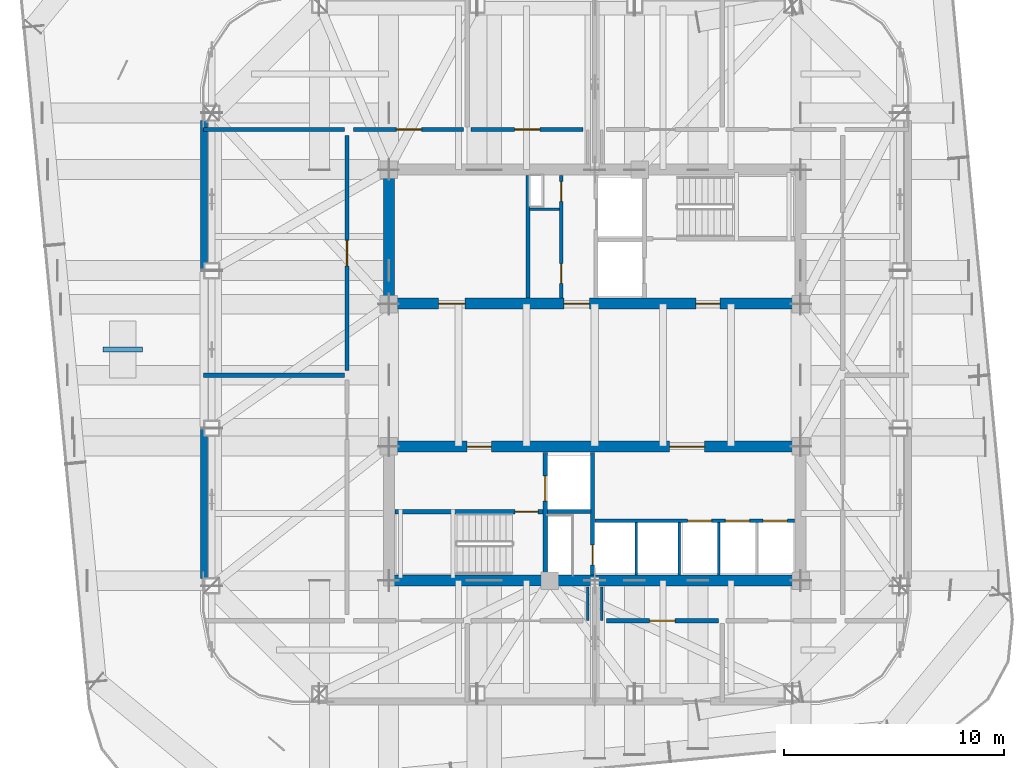
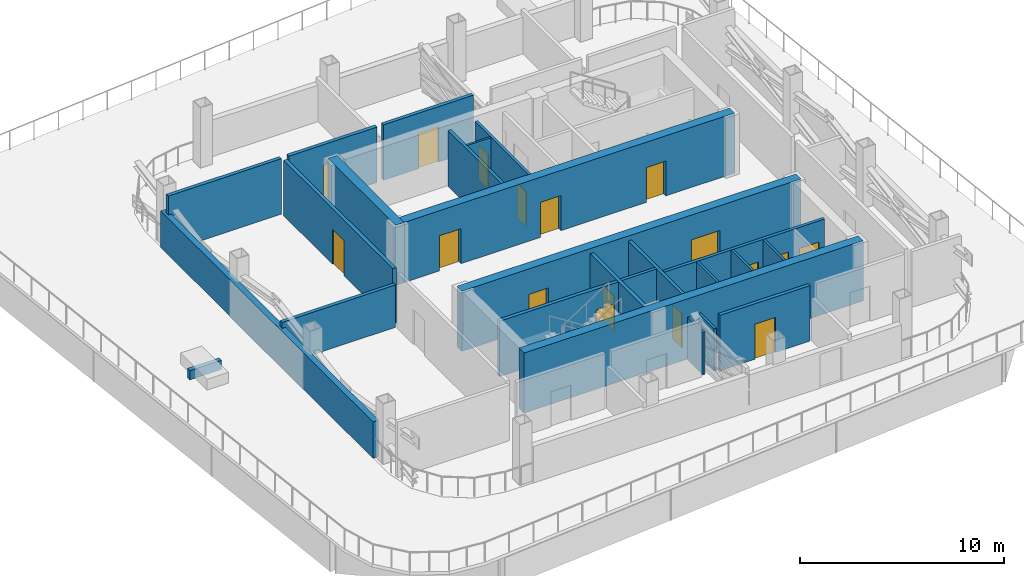
# One storey, part 6 of 12: 25 walls, 17 doors, 17 openings.
"""IFC4 building model written with IfcOpenShell, lengths in metres."""

import ifcopenshell
import ifcopenshell.guid

model = None  # the IFC model being written
_history = None  # IfcOwnerHistory: only IFC2X3 demands one
_inside = {}  # id of a spatial element -> (the spatial element, [elements in it])
_under = {}  # id of a project, library or spatial element -> (it, [spatial elements below it])
_declared = {}  # id of a project -> (the project, [libraries it declares])
_typed = {}  # id of a type object -> (the type object, [elements of that type])
_made_of = {}  # id of a material, layer set ... -> (it, [elements and type objects made of it])


def new_model(schema):
    """Start an empty IFC model of exactly this schema.

    Asked for "IFC4X3", IfcOpenShell would pick the latest addendum, in which some entities
    have other attributes; the version numbers below select the first issue.
    IFC2X3 requires an IfcOwnerHistory on every rooted entity: one is made here for all.
    """
    global model, _history
    if schema == "IFC4X3":
        model = ifcopenshell.file(schema_version=(4, 3, 0, 0))
    else:
        model = ifcopenshell.file(schema=schema)
    _inside.clear()
    _under.clear()
    _declared.clear()
    _typed.clear()
    _made_of.clear()
    _history = None
    if model.schema == "IFC2X3":
        org = make("IfcOrganization", Name="unknown")
        user = make(
            "IfcPersonAndOrganization",
            ThePerson=make("IfcPerson", FamilyName="unknown"),
            TheOrganization=org,
        )
        app = make(
            "IfcApplication",
            ApplicationDeveloper=org,
            Version="unknown",
            ApplicationFullName="unknown",
            ApplicationIdentifier="unknown",
        )
        _history = make(
            "IfcOwnerHistory",
            OwningUser=user,
            OwningApplication=app,
            ChangeAction="ADDED",
            CreationDate=0,
        )
    return model


def make(cls, **values):
    """One entity of the class cls with the attributes given. An attribute that is None is left unset."""
    return model.create_entity(
        cls, **{name: value for name, value in values.items() if value is not None}
    )


def rooted(cls, **values):
    """An entity with a GlobalId (a new one), such as an element, a storey or a relation."""
    return make(cls, GlobalId=ifcopenshell.guid.new(), OwnerHistory=_history, **values)


def si_unit(unit_type, name, prefix=None):
    """IfcSIUnit, for example si_unit("LENGTHUNIT", "METRE", prefix="MILLI")."""
    return make("IfcSIUnit", UnitType=unit_type, Prefix=prefix, Name=name)


def assignment(units):
    """IfcUnitAssignment: the units of a project."""
    return None if units is None else make("IfcUnitAssignment", Units=units)


def point(xyz):
    """IfcCartesianPoint."""
    return None if xyz is None else make("IfcCartesianPoint", Coordinates=xyz)


def direction(xyz):
    """IfcDirection."""
    return None if xyz is None else make("IfcDirection", DirectionRatios=xyz)


def frame(location, z_axis=None, x_axis=None):
    """IfcAxis2Placement3D, a coordinate frame: its origin and axes. An axis left out is left unset."""
    return make(
        "IfcAxis2Placement3D",
        Location=point(location),
        Axis=direction(z_axis),
        RefDirection=direction(x_axis),
    )


def frame_2d(location, x_axis=None):
    """IfcAxis2Placement2D, a coordinate frame in the plane: its origin and x axis."""
    return make(
        "IfcAxis2Placement2D", Location=point(location), RefDirection=direction(x_axis)
    )


def origin():
    """The frame at (0, 0, 0) with its axes left unset."""
    return frame((0.0, 0.0, 0.0))


def place(relative_to, where):
    """IfcLocalPlacement: puts the frame where relative to a parent placement (None: the world)."""
    return make(
        "IfcLocalPlacement", PlacementRelTo=relative_to, RelativePlacement=where
    )


def context(
    kind, dimensions, precision=None, world=None, true_north=None, identifier=None
):
    """IfcGeometricRepresentationContext, for example the 3D "Model" context."""
    return make(
        "IfcGeometricRepresentationContext",
        ContextIdentifier=identifier,
        ContextType=kind,
        CoordinateSpaceDimension=dimensions,
        Precision=precision,
        WorldCoordinateSystem=world,
        TrueNorth=true_north,
    )


def subcontext(parent, identifier, kind, view, scale=None):
    """IfcGeometricRepresentationSubContext, for example "Body" below "Model"."""
    return make(
        "IfcGeometricRepresentationSubContext",
        ContextIdentifier=identifier,
        ContextType=kind,
        ParentContext=parent,
        TargetScale=scale,
        TargetView=view,
    )


def project(units=None, contexts=None):
    """IfcProject with its units and contexts."""
    return rooted(
        "IfcProject",
        Name="project",
        RepresentationContexts=contexts,
        UnitsInContext=assignment(units),
    )


def spatial(cls, under=None, at=None, **own):
    """A site, building, storey or space (cls), placed at a placement, below another one or the project."""
    s = rooted(cls, ObjectPlacement=at, **own)
    if under is not None:
        _under.setdefault(under.id(), (under, []))[1].append(s)
    return s


def profile(cls, at=None, kind="AREA", **sizes):
    """A parametric profile (cls). Its sizes go by their IFC names, for example OverallWidth=200.0."""
    return make(cls, ProfileType=kind, Position=at, **sizes)


def rectangle(**sizes):
    """IfcRectangleProfileDef."""
    return profile("IfcRectangleProfileDef", **sizes)


def extrude(swept, where, along, depth):
    """IfcExtrudedAreaSolid: the profile swept, set in the frame where, extruded along a direction by depth."""
    return make(
        "IfcExtrudedAreaSolid",
        SweptArea=swept,
        Position=where,
        ExtrudedDirection=direction(along),
        Depth=depth,
    )


def shape(context_of_items, identifier, shape_type, items):
    """IfcShapeRepresentation: the items that make up one representation, for example the "Body"."""
    return make(
        "IfcShapeRepresentation",
        ContextOfItems=context_of_items,
        RepresentationIdentifier=identifier,
        RepresentationType=shape_type,
        Items=items,
    )


def material(Name=None, Category=None):
    """IfcMaterial."""
    return make("IfcMaterial", Name=Name, Category=Category)


def layer(
    of_material, thickness, ventilated=None, Name=None, Category=None, Priority=None
):
    """IfcMaterialLayer: one layer of a wall or slab, of a material (None: an air gap)."""
    return make(
        "IfcMaterialLayer",
        Material=of_material,
        LayerThickness=thickness,
        IsVentilated=ventilated,
        Name=Name,
        Category=Category,
        Priority=Priority,
    )


def layer_set(layers, Name=None):
    """IfcMaterialLayerSet."""
    return make("IfcMaterialLayerSet", MaterialLayers=layers, LayerSetName=Name)


def made_of(thing, what):
    """Note that an element or type object is made of a material, layer set ...; save() writes the relation."""
    if what is not None:
        _made_of.setdefault(what.id(), (what, []))[1].append(thing)
    return thing


def type_object(cls, material=None, **own):
    """A type object (cls), such as IfcWallType, which elements share."""
    return made_of(rooted(cls, **own), material)


def element(
    cls,
    number,
    at=None,
    inside=None,
    cuts=None,
    type_object=None,
    material=None,
    context=None,
    identifier="Body",
    shape_type=None,
    held_by="IfcProductDefinitionShape",
    body=None,
    shapes=None,
    **own,
):
    """One element of the class cls, such as IfcWall. Its Tag is "e" and its number.

    at: its placement. inside: the storey or other place that contains it. cuts: it is an
    opening in that element (IfcRelVoidsElement). A single representation is given by context,
    identifier, shape_type and body (its items); several are given by shapes. held_by: the class
    of the entity that holds the representations. save() writes the other relations.
    """
    e = rooted(cls, Tag="e%d" % number, ObjectPlacement=at, **own)
    if body is not None:
        shapes = [shape(context, identifier, shape_type, body)]
    if shapes is not None:
        e.Representation = make(held_by, Representations=shapes)
    if inside is not None:
        _inside.setdefault(inside.id(), (inside, []))[1].append(e)
    if cuts is not None:
        rooted(
            "IfcRelVoidsElement", RelatingBuildingElement=cuts, RelatedOpeningElement=e
        )
    if type_object is not None:
        _typed.setdefault(type_object.id(), (type_object, []))[1].append(e)
    return made_of(e, material)


def fill(opening, filler):
    """IfcRelFillsElement: the door or window that sits in an opening."""
    return rooted(
        "IfcRelFillsElement",
        RelatingOpeningElement=opening,
        RelatedBuildingElement=filler,
    )


def aggregate(whole, parts):
    """IfcRelAggregates: a whole, such as a stair, and the parts it consists of."""
    return rooted("IfcRelAggregates", RelatingObject=whole, RelatedObjects=parts)


def save(model, path):
    """Write the relations noted so far, then the file.

    IfcRelAggregates (storeys below a building ...), IfcRelContainedInSpatialStructure (elements
    in a storey), IfcRelDefinesByType, IfcRelAssociatesMaterial and IfcRelDeclares: one each for
    every whole, place, type object, material and project.
    """
    for whole, parts in _under.values():
        aggregate(whole, parts)
    for where, things in _inside.values():
        rooted(
            "IfcRelContainedInSpatialStructure",
            RelatedElements=things,
            RelatingStructure=where,
        )
    for kind, things in _typed.values():
        rooted("IfcRelDefinesByType", RelatedObjects=things, RelatingType=kind)
    for what, things in _made_of.values():
        rooted("IfcRelAssociatesMaterial", RelatedObjects=things, RelatingMaterial=what)
    for by, libraries in _declared.values():
        rooted("IfcRelDeclares", RelatingContext=by, RelatedDefinitions=libraries)
    model.write(path)


model = new_model("IFC4")

# Units and contexts
model_context = context("Model", 3, precision=1e-05, world=origin(), true_north=direction((0.0, 1.0)))
body_context = subcontext(model_context, "Body", "Model", "MODEL_VIEW")
ifc_project = project(units=[si_unit("LENGTHUNIT", "METRE"), si_unit("AREAUNIT", "SQUARE_METRE"), si_unit("VOLUMEUNIT", "CUBIC_METRE"), si_unit("PLANEANGLEUNIT", "RADIAN"), si_unit("MASSUNIT", "GRAM", prefix="KILO")], contexts=[model_context])

# Site, building, storey
site_placement = place(None, origin())
site = spatial("IfcSite", under=ifc_project, at=site_placement, CompositionType="ELEMENT")
building_placement = place(site_placement, origin())
building = spatial("IfcBuilding", under=site, at=building_placement, Name="Qhalaya Broadcast Tower", CompositionType="ELEMENT")
storey_placement = place(building_placement, frame((0.0, 0.0, 187.949951171875)))
storey = spatial("IfcBuildingStorey", under=building, at=storey_placement, Name="L55", CompositionType="ELEMENT", Elevation=187.949951171875)

# Wall, openings, doors
ifc_material_1 = material(Name="Gypsum Acoustic Partition")
ifc_layer_1 = layer(ifc_material_1, 0.14990234375, Name="Gypsum Acoustic Partition")
ifc_layer_set_1 = layer_set([ifc_layer_1], Name="Gypsum Acoustic Partition")
wall_type_1 = type_object("IfcWallType", Name="Corridor & Tenancy Acoustic Partition 150", PredefinedType="PARTITIONING", material=ifc_layer_set_1)
wall_1_placement = place(storey_placement, frame((-1.52001953125, 4.1201171875, 0.0), z_axis=(0.0, 0.0, 1.0), x_axis=(0.0, 1.0, 0.0)))
wall_1 = element("IfcWall", 1, at=wall_1_placement, inside=storey, type_object=wall_type_1, Name="L55 Partition Wall NCW-SVL", PredefinedType="PARTITIONING", context=body_context, shape_type="SweptSolid", body=[
    extrude(rectangle(XDim=5.559814453125, YDim=0.14990234375, at=frame_2d((2.77978515625, 0.0))), origin(), (0.0, 0.0, 1.0), 3.320068359375),
])
opening_1_placement = place(wall_1_placement, frame((4.3798828125, 0.0, 0.0)))
opening_1 = element("IfcOpeningElement", 2, at=opening_1_placement, cuts=wall_1, Name="Opening D06", PredefinedType="OPENING", context=body_context, shape_type="SweptSolid", body=[
    extrude(rectangle(XDim=0.89990234375, YDim=2.050048828125, at=frame_2d((0.449951171875, 1.02490234375))), frame((0.0, 0.0869140625, 0.0), z_axis=(0.0, -1.0, 0.0), x_axis=(1.0, 0.0, 0.0)), (0.0, 0.0, 1.0), 0.173828125),
])
opening_2_placement = place(wall_1_placement, frame((0.64990234375, 0.0, 0.0)))
opening_2 = element("IfcOpeningElement", 3, at=opening_2_placement, cuts=wall_1, Name="Opening D06", PredefinedType="OPENING", context=body_context, shape_type="SweptSolid", body=[
    extrude(rectangle(XDim=0.89990234375, YDim=2.050048828125, at=frame_2d((0.449951171875, 1.02490234375))), frame((0.0, 0.0869140625, 0.0), z_axis=(0.0, -1.0, 0.0), x_axis=(1.0, 0.0, 0.0)), (0.0, 0.0, 1.0), 0.173828125),
])
ifc_material_2 = material(Name="Fire-Rated Steel Door", Category="steel")
door_type_1 = type_object("IfcDoorType", Name="Riser & Electrical Shaft Access Door D06", OperationType="NOTDEFINED", PredefinedType="DOOR", material=ifc_material_2)
door_1_placement = place(opening_1_placement, origin())
door_1 = element("IfcDoor", 4, at=door_1_placement, inside=storey, type_object=door_type_1, Name="L55 Riser Shaft Access Door D-NRSR", OperationType="SINGLE_SWING_RIGHT", OverallHeight=2.050048828125, OverallWidth=0.89990234375, PredefinedType="DOOR", context=body_context, shape_type="SweptSolid", body=[
    extrude(rectangle(XDim=0.89990234375, YDim=2.050048828125, at=frame_2d((0.449951171875, 1.02490234375))), frame((0.0, 0.02490234375, 0.0), z_axis=(0.0, -1.0, 0.0), x_axis=(1.0, 0.0, 0.0)), (0.0, 0.0, 1.0), 0.050048828125),
])
fill(opening_1, door_1)
door_2_placement = place(opening_2_placement, origin())
door_2 = element("IfcDoor", 5, at=door_2_placement, inside=storey, type_object=door_type_1, Name="L55 Door D-NCST", OperationType="SINGLE_SWING_LEFT", OverallHeight=2.050048828125, OverallWidth=0.89990234375, PredefinedType="DOOR", context=body_context, shape_type="SweptSolid", body=[
    extrude(rectangle(XDim=0.89990234375, YDim=2.050048828125, at=frame_2d((0.449951171875, 1.02490234375))), frame((0.0, 0.02490234375, 0.0), z_axis=(0.0, -1.0, 0.0), x_axis=(1.0, 0.0, 0.0)), (0.0, 0.0, 1.0), 0.050048828125),
])
fill(opening_2, door_2)

# Wall, opening, door
ifc_layer_2 = layer(ifc_material_1, 0.199951171875, Name="Gypsum Acoustic Partition")
ifc_layer_set_2 = layer_set([ifc_layer_2], Name="Gypsum Acoustic Partition")
wall_type_2 = type_object("IfcWallType", Name="Firefighting Lobby & Stair Enclosure Wall 200", PredefinedType="PARTITIONING", material=ifc_layer_set_2)
wall_2_placement = place(storey_placement, frame((-5.97998046875, 11.77001953125, 0.0), z_axis=(0.0, 0.0, 1.0), x_axis=(-1.0, 0.0, 0.0)))
wall_2 = element("IfcWall", 6, at=wall_2_placement, inside=storey, type_object=wall_type_2, Name="L55 Partition Wall W-PCN0", PredefinedType="PARTITIONING", context=body_context, shape_type="SweptSolid", body=[
    extrude(rectangle(XDim=4.989990234375, YDim=0.199951171875, at=frame_2d((2.4951171875, 0.0))), origin(), (0.0, 0.0, 1.0), 3.320068359375),
])
opening_3_placement = place(wall_2_placement, frame((1.889892578125, 0.0, 0.0)))
opening_3 = element("IfcOpeningElement", 7, at=opening_3_placement, cuts=wall_2, Name="Opening D05", PredefinedType="OPENING", context=body_context, shape_type="SweptSolid", body=[
    extrude(rectangle(XDim=1.14990234375, YDim=2.10009765625, at=frame_2d((0.574951171875, 1.050048828125))), frame((0.0, 0.112060546875, 0.0), z_axis=(0.0, -1.0, 0.0), x_axis=(1.0, 0.0, 0.0)), (0.0, 0.0, 1.0), 0.223876953125),
])
door_type_2 = type_object("IfcDoorType", Name="Refuge & Plant Room Fire Door D05", OperationType="NOTDEFINED", PredefinedType="DOOR", material=ifc_material_2)
door_3_placement = place(opening_3_placement, origin())
door_3 = element("IfcDoor", 8, at=door_3_placement, inside=storey, type_object=door_type_2, Name="L55 Door D-PCN0", OperationType="SINGLE_SWING_LEFT", OverallHeight=2.10009765625, OverallWidth=1.14990234375, PredefinedType="DOOR", context=body_context, shape_type="SweptSolid", body=[
    extrude(rectangle(XDim=1.14990234375, YDim=2.10009765625, at=frame_2d((0.574951171875, 1.050048828125))), frame((0.0, 0.02490234375, 0.0), z_axis=(0.0, -1.0, 0.0), x_axis=(1.0, 0.0, 0.0)), (0.0, 0.0, 1.0), 0.050048828125),
])
fill(opening_3, door_3)

wall_3_placement = place(storey_placement, frame((-0.530029296875, 11.77001953125, 0.0), z_axis=(0.0, 0.0, 1.0), x_axis=(-1.0, 0.0, 0.0)))
wall_3 = element("IfcWall", 9, at=wall_3_placement, inside=storey, type_object=wall_type_2, Name="L55 Partition Wall W-PCN1", PredefinedType="PARTITIONING", context=body_context, shape_type="SweptSolid", body=[
    extrude(rectangle(XDim=5.090087890625, YDim=0.199951171875, at=frame_2d((2.544921875, 0.0))), origin(), (0.0, 0.0, 1.0), 3.320068359375),
])
opening_4_placement = place(wall_3_placement, frame((1.969970703125, 0.0, 0.0)))
opening_4 = element("IfcOpeningElement", 10, at=opening_4_placement, cuts=wall_3, Name="Opening D05", PredefinedType="OPENING", context=body_context, shape_type="SweptSolid", body=[
    extrude(rectangle(XDim=1.14990234375, YDim=2.10009765625, at=frame_2d((0.574951171875, 1.050048828125))), frame((0.0, 0.112060546875, 0.0), z_axis=(0.0, -1.0, 0.0), x_axis=(1.0, 0.0, 0.0)), (0.0, 0.0, 1.0), 0.223876953125),
])
door_4_placement = place(opening_4_placement, origin())
door_4 = element("IfcDoor", 11, at=door_4_placement, inside=storey, type_object=door_type_2, Name="L55 Door D-PCN1", OperationType="SINGLE_SWING_LEFT", OverallHeight=2.10009765625, OverallWidth=1.14990234375, PredefinedType="DOOR", context=body_context, shape_type="SweptSolid", body=[
    extrude(rectangle(XDim=1.14990234375, YDim=2.10009765625, at=frame_2d((0.574951171875, 1.050048828125))), frame((0.0, 0.02490234375, 0.0), z_axis=(0.0, -1.0, 0.0), x_axis=(1.0, 0.0, 0.0)), (0.0, 0.0, 1.0), 0.050048828125),
])
fill(opening_4, door_4)

wall_4_placement = place(storey_placement, frame((0.530029296875, -10.570068359375, 0.0), z_axis=(0.0, 0.0, 1.0), x_axis=(1.0, 0.0, 0.0)))
wall_4 = element("IfcWall", 12, at=wall_4_placement, inside=storey, type_object=wall_type_2, Name="L55 Partition Wall W-PCS2", PredefinedType="PARTITIONING", context=body_context, shape_type="SweptSolid", body=[
    extrude(rectangle(XDim=5.090087890625, YDim=0.199951171875, at=frame_2d((2.544921875, 0.0))), origin(), (0.0, 0.0, 1.0), 3.320068359375),
])
opening_5_placement = place(wall_4_placement, frame((1.969970703125, 0.0, 0.0)))
opening_5 = element("IfcOpeningElement", 13, at=opening_5_placement, cuts=wall_4, Name="Opening D05", PredefinedType="OPENING", context=body_context, shape_type="SweptSolid", body=[
    extrude(rectangle(XDim=1.14990234375, YDim=2.10009765625, at=frame_2d((0.574951171875, 1.050048828125))), frame((0.0, 0.112060546875, 0.0), z_axis=(0.0, -1.0, 0.0), x_axis=(1.0, 0.0, 0.0)), (0.0, 0.0, 1.0), 0.223876953125),
])
door_5_placement = place(opening_5_placement, origin())
door_5 = element("IfcDoor", 14, at=door_5_placement, inside=storey, type_object=door_type_2, Name="L55 Door D-PCS2", OperationType="SINGLE_SWING_RIGHT", OverallHeight=2.10009765625, OverallWidth=1.14990234375, PredefinedType="DOOR", context=body_context, shape_type="SweptSolid", body=[
    extrude(rectangle(XDim=1.14990234375, YDim=2.10009765625, at=frame_2d((0.574951171875, 1.050048828125))), frame((0.0, 0.02490234375, 0.0), z_axis=(0.0, -1.0, 0.0), x_axis=(1.0, 0.0, 0.0)), (0.0, 0.0, 1.0), 0.050048828125),
])
fill(opening_5, door_5)

# Walls
wall_5_placement = place(storey_placement, frame((-17.800048828125, 11.77001953125, 0.0), z_axis=(0.0, 0.0, 1.0), x_axis=(1.0, 0.0, 0.0)))
element("IfcWall", 15, at=wall_5_placement, inside=storey, type_object=wall_type_2, Name="L55 Partition Wall W-PBNW", PredefinedType="PARTITIONING", context=body_context, shape_type="SweptSolid", body=[
    extrude(rectangle(XDim=6.41015625, YDim=0.199951171875, at=frame_2d((3.205078125, 0.0))), origin(), (0.0, 0.0, 1.0), 3.320068359375),
])
wall_6_placement = place(storey_placement, frame((-17.800048828125, 0.60009765625, 0.0), z_axis=(0.0, 0.0, 1.0), x_axis=(1.0, 0.0, 0.0)))
element("IfcWall", 16, at=wall_6_placement, inside=storey, type_object=wall_type_2, Name="L55 Partition Wall W-PDW1", PredefinedType="PARTITIONING", context=body_context, shape_type="SweptSolid", body=[
    extrude(rectangle(XDim=6.41015625, YDim=0.199951171875, at=frame_2d((3.205078125, 0.0))), origin(), (0.0, 0.0, 1.0), 2.5380859375),
])

# Wall, opening, door
wall_7_placement = place(storey_placement, frame((-11.27001953125, 11.489990234375, 0.0), z_axis=(0.0, 0.0, 1.0), x_axis=(0.0, -1.0, 0.0)))
wall_7 = element("IfcWall", 17, at=wall_7_placement, inside=storey, type_object=wall_type_2, Name="L55 Partition Wall W-PCW2", PredefinedType="PARTITIONING", context=body_context, shape_type="SweptSolid", body=[
    extrude(rectangle(XDim=10.679931640625, YDim=0.199951171875, at=frame_2d((5.33984375, 0.0))), origin(), (0.0, 0.0, 1.0), 3.320068359375),
])
opening_6_placement = place(wall_7_placement, frame((4.764892578125, 0.0, 0.0)))
opening_6 = element("IfcOpeningElement", 18, at=opening_6_placement, cuts=wall_7, Name="Opening D05", PredefinedType="OPENING", context=body_context, shape_type="SweptSolid", body=[
    extrude(rectangle(XDim=1.14990234375, YDim=2.10009765625, at=frame_2d((0.574951171875, 1.050048828125))), frame((0.0, 0.112060546875, 0.0), z_axis=(0.0, -1.0, 0.0), x_axis=(1.0, 0.0, 0.0)), (0.0, 0.0, 1.0), 0.223876953125),
])
door_6_placement = place(opening_6_placement, origin())
door_6 = element("IfcDoor", 19, at=door_6_placement, inside=storey, type_object=door_type_2, Name="L55 Door D-PCW2", OperationType="SINGLE_SWING_RIGHT", OverallHeight=2.10009765625, OverallWidth=1.14990234375, PredefinedType="DOOR", context=body_context, shape_type="SweptSolid", body=[
    extrude(rectangle(XDim=1.14990234375, YDim=2.10009765625, at=frame_2d((0.574951171875, 1.050048828125))), frame((0.0, 0.02490234375, 0.0), z_axis=(0.0, -1.0, 0.0), x_axis=(1.0, 0.0, 0.0)), (0.0, 0.0, 1.0), 0.050048828125),
])
fill(opening_6, door_6)

ifc_material_3 = material(Name="Concrete C50/60", Category="concrete")
ifc_layer_3 = layer(ifc_material_3, 0.199951171875, Name="Concrete C50/60")
ifc_layer_set_3 = layer_set([ifc_layer_3], Name="Concrete C50/60")
wall_type_3 = type_object("IfcWallType", Name="Load-Bearing Stair Shaft Wall 200", PredefinedType="SHEAR", material=ifc_layer_set_3)
wall_8_placement = place(storey_placement, frame((-9.080078125, -5.60498046875, 0.0), z_axis=(0.0, 0.0, 1.0), x_axis=(1.0, 0.0, 0.0)))
wall_8 = element("IfcWall", 20, at=wall_8_placement, inside=storey, type_object=wall_type_3, Name="L55 Stair Core Shear Wall SCW-ST2", PredefinedType="SHEAR", context=body_context, shape_type="SweptSolid", body=[
    extrude(rectangle(XDim=6.719970703125, YDim=0.199951171875, at=frame_2d((3.35986328125, 0.0))), origin(), (0.0, 0.0, 1.0), 3.320068359375),
])
opening_7_placement = place(wall_8_placement, frame((5.449951171875, 0.0, 0.0)))
opening_7 = element("IfcOpeningElement", 21, at=opening_7_placement, cuts=wall_8, Name="Opening D03", PredefinedType="OPENING", context=body_context, shape_type="SweptSolid", body=[
    extrude(rectangle(XDim=1.050048828125, YDim=2.080078125, at=frame_2d((0.52490234375, 1.0400390625))), frame((0.0, 0.112060546875, 0.0), z_axis=(0.0, -1.0, 0.0), x_axis=(1.0, 0.0, 0.0)), (0.0, 0.0, 1.0), 0.223876953125),
])
door_type_3 = type_object("IfcDoorType", Name="Core Stair Protected Fire Door D03", OperationType="NOTDEFINED", PredefinedType="DOOR", material=ifc_material_2)
door_7_placement = place(opening_7_placement, origin())
door_7 = element("IfcDoor", 22, at=door_7_placement, inside=storey, type_object=door_type_3, Name="L55 Door D-SST2", OperationType="SINGLE_SWING_RIGHT", OverallHeight=2.080078125, OverallWidth=1.050048828125, PredefinedType="DOOR", context=body_context, shape_type="SweptSolid", body=[
    extrude(rectangle(XDim=1.050048828125, YDim=2.080078125, at=frame_2d((0.52490234375, 1.0400390625))), frame((0.0, 0.02490234375, 0.0), z_axis=(0.0, -1.0, 0.0), x_axis=(1.0, 0.0, 0.0)), (0.0, 0.0, 1.0), 0.050048828125),
])
fill(opening_7, door_7)

wall_9_placement = place(storey_placement, frame((-2.25, -8.47998046875, 0.0), z_axis=(0.0, 0.0, 1.0), x_axis=(0.0, 1.0, 0.0)))
wall_9 = element("IfcWall", 23, at=wall_9_placement, inside=storey, type_object=wall_type_3, Name="L55 Stair Core Shear Wall SCW-FF", PredefinedType="SHEAR", context=body_context, shape_type="SweptSolid", body=[
    extrude(rectangle(XDim=5.56005859375, YDim=0.199951171875, at=frame_2d((2.780029296875, 0.0))), origin(), (0.0, 0.0, 1.0), 3.320068359375),
])
opening_8_placement = place(wall_9_placement, frame((3.35009765625, 0.0, 0.0)))
opening_8 = element("IfcOpeningElement", 24, at=opening_8_placement, cuts=wall_9, Name="Opening LD2", PredefinedType="OPENING", context=body_context, shape_type="SweptSolid", body=[
    extrude(rectangle(XDim=1.14990234375, YDim=2.080078125, at=frame_2d((0.574951171875, 1.0400390625))), frame((0.0, 0.112060546875, 0.0), z_axis=(0.0, -1.0, 0.0), x_axis=(1.0, 0.0, 0.0)), (0.0, 0.0, 1.0), 0.223876953125),
])
ifc_material_4 = material(Name="Brushed Stainless Steel Lift Door", Category="steel")
door_type_4 = type_object("IfcDoorType", Name="Firefighting Lift Sliding Landing Door LD2", OperationType="DOUBLE_DOOR_SLIDING", PredefinedType="DOOR", material=ifc_material_4)
door_8_placement = place(opening_8_placement, origin())
door_8 = element("IfcDoor", 25, at=door_8_placement, inside=storey, type_object=door_type_4, Name="L55 Door LD-FF2", OperationType="DOUBLE_DOOR_SLIDING", OverallHeight=2.080078125, OverallWidth=1.14990234375, PredefinedType="DOOR", context=body_context, shape_type="SweptSolid", body=[
    extrude(rectangle(XDim=1.14990234375, YDim=2.080078125, at=frame_2d((0.574951171875, 1.0400390625))), frame((0.0, 0.02490234375, 0.0), z_axis=(0.0, -1.0, 0.0), x_axis=(1.0, 0.0, 0.0)), (0.0, 0.0, 1.0), 0.050048828125),
])
fill(opening_8, door_8)

# Wall, openings, doors
ifc_layer_4 = layer(ifc_material_3, 0.5, Name="Concrete C50/60")
ifc_layer_set_4 = layer_set([ifc_layer_4], Name="Concrete C50/60")
wall_type_4 = type_object("IfcWallType", Name="Mid Split-Core Shear Wall 500", PredefinedType="SHEAR", material=ifc_layer_set_4)
wall_10_placement = place(storey_placement, frame((-9.60009765625, 3.85009765625, 0.0), z_axis=(0.0, 0.0, 1.0), x_axis=(1.0, 0.0, 0.0)))
wall_10 = element("IfcWall", 26, at=wall_10_placement, inside=storey, type_object=wall_type_4, Name="L55 Split-Core Shear Wall CW-NS", PredefinedType="SHEAR", context=body_context, shape_type="SweptSolid", body=[
    extrude(rectangle(XDim=19.2001953125, YDim=0.5, at=frame_2d((9.60009765625, 0.0))), origin(), (0.0, 0.0, 1.0), 3.60009765625),
])
opening_9_placement = place(wall_10_placement, frame((14.199951171875, 0.0, 0.0)))
opening_9 = element("IfcOpeningElement", 27, at=opening_9_placement, cuts=wall_10, Name="Opening D04", PredefinedType="OPENING", context=body_context, shape_type="SweptSolid", body=[
    extrude(rectangle(XDim=1.10009765625, YDim=2.080078125, at=frame_2d((0.550048828125, 1.0400390625))), frame((0.0, 0.261962890625, 0.0), z_axis=(0.0, -1.0, 0.0), x_axis=(1.0, 0.0, 0.0)), (0.0, 0.0, 1.0), 0.52392578125),
])
opening_10_placement = place(wall_10_placement, frame((8.199951171875, 0.0, 0.0)))
opening_10 = element("IfcOpeningElement", 28, at=opening_10_placement, cuts=wall_10, Name="Opening D05", PredefinedType="OPENING", context=body_context, shape_type="SweptSolid", body=[
    extrude(rectangle(XDim=1.14990234375, YDim=2.10009765625, at=frame_2d((0.574951171875, 1.050048828125))), frame((0.0, 0.261962890625, 0.0), z_axis=(0.0, -1.0, 0.0), x_axis=(1.0, 0.0, 0.0)), (0.0, 0.0, 1.0), 0.52392578125),
])
opening_11_placement = place(wall_10_placement, frame((2.5, 0.0, 0.0)))
opening_11 = element("IfcOpeningElement", 29, at=opening_11_placement, cuts=wall_10, Name="Opening D11", PredefinedType="OPENING", context=body_context, shape_type="SweptSolid", body=[
    extrude(rectangle(XDim=1.199951171875, YDim=2.10009765625, at=frame_2d((0.60009765625, 1.050048828125))), frame((0.0, 0.261962890625, 0.0), z_axis=(0.0, -1.0, 0.0), x_axis=(1.0, 0.0, 0.0)), (0.0, 0.0, 1.0), 0.52392578125),
])
ifc_material_5 = material(Name="Anodised Aluminium Glazed Door", Category="aluminium")
door_type_5 = type_object("IfcDoorType", Name="Conference, Boardroom & Studio Control Door D11", OperationType="NOTDEFINED", PredefinedType="DOOR", material=ifc_material_5)
door_9_placement = place(opening_11_placement, origin())
door_9 = element("IfcDoor", 30, at=door_9_placement, inside=storey, type_object=door_type_5, Name="L55 Door D-NREC1", OperationType="SINGLE_SWING_LEFT", OverallHeight=2.10009765625, OverallWidth=1.199951171875, PredefinedType="DOOR", context=body_context, shape_type="SweptSolid", body=[
    extrude(rectangle(XDim=1.199951171875, YDim=2.10009765625, at=frame_2d((0.60009765625, 1.050048828125))), frame((0.0, 0.02490234375, 0.0), z_axis=(0.0, -1.0, 0.0), x_axis=(1.0, 0.0, 0.0)), (0.0, 0.0, 1.0), 0.050048828125),
])
fill(opening_11, door_9)
door_type_6 = type_object("IfcDoorType", Name="Firefighting Lobby Rated Door D04", OperationType="NOTDEFINED", PredefinedType="DOOR", material=ifc_material_2)
door_10_placement = place(opening_9_placement, origin())
door_10 = element("IfcDoor", 31, at=door_10_placement, inside=storey, type_object=door_type_6, Name="L55 Door D-NFF", OperationType="SINGLE_SWING_RIGHT", OverallHeight=2.080078125, OverallWidth=1.10009765625, PredefinedType="DOOR", context=body_context, shape_type="SweptSolid", body=[
    extrude(rectangle(XDim=1.10009765625, YDim=2.080078125, at=frame_2d((0.550048828125, 1.0400390625))), frame((0.0, 0.02490234375, 0.0), z_axis=(0.0, -1.0, 0.0), x_axis=(1.0, 0.0, 0.0)), (0.0, 0.0, 1.0), 0.050048828125),
])
fill(opening_9, door_10)
door_11_placement = place(opening_10_placement, origin())
door_11 = element("IfcDoor", 32, at=door_11_placement, inside=storey, type_object=door_type_2, Name="L55 Door D-NSVL", OperationType="SINGLE_SWING_LEFT", OverallHeight=2.10009765625, OverallWidth=1.14990234375, PredefinedType="DOOR", context=body_context, shape_type="SweptSolid", body=[
    extrude(rectangle(XDim=1.14990234375, YDim=2.10009765625, at=frame_2d((0.574951171875, 1.050048828125))), frame((0.0, 0.02490234375, 0.0), z_axis=(0.0, -1.0, 0.0), x_axis=(1.0, 0.0, 0.0)), (0.0, 0.0, 1.0), 0.050048828125),
])
fill(opening_10, door_11)

# Walls
wall_11_placement = place(storey_placement, frame((-9.35009765625, 3.60009765625, 0.0), z_axis=(0.0, 0.0, 1.0), x_axis=(0.0, 1.0, 0.0)))
element("IfcWall", 33, at=wall_11_placement, inside=storey, type_object=wall_type_4, Name="L55 Split-Core Shear Wall CW-NW", PredefinedType="SHEAR", context=body_context, shape_type="SweptSolid", body=[
    extrude(rectangle(XDim=6.599853515625, YDim=0.5, at=frame_2d((3.2998046875, 0.0))), origin(), (0.0, 0.0, 1.0), 3.60009765625),
])
wall_12_placement = place(storey_placement, frame((-9.60009765625, -8.75, 0.0), z_axis=(0.0, 0.0, 1.0), x_axis=(1.0, 0.0, 0.0)))
element("IfcWall", 34, at=wall_12_placement, inside=storey, type_object=wall_type_4, Name="L55 Split-Core Shear Wall CW-SS", PredefinedType="SHEAR", context=body_context, shape_type="SweptSolid", body=[
    extrude(rectangle(XDim=19.2001953125, YDim=0.5, at=frame_2d((9.60009765625, 0.0))), origin(), (0.0, 0.0, 1.0), 3.60009765625),
])

# Wall, openings, doors
wall_13_placement = place(storey_placement, frame((-9.60009765625, -2.64990234375, 0.0), z_axis=(0.0, 0.0, 1.0), x_axis=(1.0, 0.0, 0.0)))
wall_13 = element("IfcWall", 35, at=wall_13_placement, inside=storey, type_object=wall_type_4, Name="L55 Split-Core Shear Wall CW-SN", PredefinedType="SHEAR", context=body_context, shape_type="SweptSolid", body=[
    extrude(rectangle(XDim=19.2001953125, YDim=0.5, at=frame_2d((9.60009765625, 0.0))), origin(), (0.0, 0.0, 1.0), 3.60009765625),
])
opening_12_placement = place(wall_13_placement, frame((3.800048828125, 0.0, 0.0)))
opening_12 = element("IfcOpeningElement", 36, at=opening_12_placement, cuts=wall_13, Name="Opening D04", PredefinedType="OPENING", context=body_context, shape_type="SweptSolid", body=[
    extrude(rectangle(XDim=1.10009765625, YDim=2.080078125, at=frame_2d((0.550048828125, 1.0400390625))), frame((0.0, 0.261962890625, 0.0), z_axis=(0.0, -1.0, 0.0), x_axis=(1.0, 0.0, 0.0)), (0.0, 0.0, 1.0), 0.52392578125),
])
opening_13_placement = place(wall_13_placement, frame((13.0, 0.0, 0.0)))
opening_13 = element("IfcOpeningElement", 37, at=opening_13_placement, cuts=wall_13, Name="Opening D07", PredefinedType="OPENING", context=body_context, shape_type="SweptSolid", body=[
    extrude(rectangle(XDim=1.60009765625, YDim=2.1201171875, at=frame_2d((0.800048828125, 1.06005859375))), frame((0.0, 0.261962890625, 0.0), z_axis=(0.0, -1.0, 0.0), x_axis=(1.0, 0.0, 0.0)), (0.0, 0.0, 1.0), 0.52392578125),
])
door_12_placement = place(opening_12_placement, origin())
door_12 = element("IfcDoor", 38, at=door_12_placement, inside=storey, type_object=door_type_6, Name="L55 Door D-SFF", OperationType="SINGLE_SWING_LEFT", OverallHeight=2.080078125, OverallWidth=1.10009765625, PredefinedType="DOOR", context=body_context, shape_type="SweptSolid", body=[
    extrude(rectangle(XDim=1.10009765625, YDim=2.080078125, at=frame_2d((0.550048828125, 1.0400390625))), frame((0.0, 0.02490234375, 0.0), z_axis=(0.0, -1.0, 0.0), x_axis=(1.0, 0.0, 0.0)), (0.0, 0.0, 1.0), 0.050048828125),
])
fill(opening_12, door_12)
door_type_7 = type_object("IfcDoorType", Name="Passenger Lift Lobby Double Glazed Door D07", OperationType="DOUBLE_DOOR_SINGLE_SWING", PredefinedType="DOOR", material=ifc_material_5)
door_13_placement = place(opening_13_placement, origin())
door_13 = element("IfcDoor", 39, at=door_13_placement, inside=storey, type_object=door_type_7, Name="L55 Door D-SPLL", OperationType="DOUBLE_DOOR_SINGLE_SWING", OverallHeight=2.1201171875, OverallWidth=1.60009765625, PredefinedType="DOOR", context=body_context, shape_type="SweptSolid", body=[
    extrude(rectangle(XDim=1.60009765625, YDim=2.1201171875, at=frame_2d((0.800048828125, 1.06005859375))), frame((0.0, 0.02490234375, 0.0), z_axis=(0.0, -1.0, 0.0), x_axis=(1.0, 0.0, 0.0)), (0.0, 0.0, 1.0), 0.050048828125),
])
fill(opening_13, door_13)

# Walls
ifc_layer_5 = layer(ifc_material_1, 0.1201171875, Name="Gypsum Acoustic Partition")
ifc_layer_set_5 = layer_set([ifc_layer_5], Name="Gypsum Acoustic Partition")
wall_type_5 = type_object("IfcWallType", Name="Office, Booth & Sanitary Partition 120", PredefinedType="PARTITIONING", material=ifc_layer_set_5)
wall_14_placement = place(storey_placement, frame((-2.9599609375, 8.14990234375, 0.0), z_axis=(0.0, 0.0, 1.0), x_axis=(1.0, 0.0, 0.0)))
element("IfcWall", 40, at=wall_14_placement, inside=storey, type_object=wall_type_5, Name="L55 Partition Wall NCW-VA", PredefinedType="PARTITIONING", context=body_context, shape_type="SweptSolid", body=[
    extrude(rectangle(XDim=1.35986328125, YDim=0.1201171875, at=frame_2d((0.679931640625, 0.0))), origin(), (0.0, 0.0, 1.0), 3.320068359375),
])
for number, where, z_axis, x_axis, name in (
    (41, (1.8798828125, -8.47998046875, 0.0), (0.0, 0.0, 1.0), (0.0, 1.0, 0.0), "L55 Partition Wall SCW-MD4"),
    (42, (3.85009765625, -8.47998046875, 0.0), (0.0, 0.0, 1.0), (0.0, 1.0, 0.0), "L55 Partition Wall SCW-MD5"),
    (43, (5.639892578125, -8.47998046875, 0.0), (0.0, 0.0, 1.0), (0.0, 1.0, 0.0), "L55 Partition Wall SCW-HD6"),
):
    element("IfcWall", number, at=place(storey_placement, frame(where, z_axis=z_axis, x_axis=x_axis)), inside=storey, type_object=wall_type_5, Name=name, PredefinedType="PARTITIONING", context=body_context, shape_type="SweptSolid", body=[
        extrude(rectangle(XDim=2.3798828125, YDim=0.1201171875, at=frame_2d((1.18994140625, 0.0))), origin(), (0.0, 0.0, 1.0), 3.320068359375),
    ])
for number, where, z_axis, x_axis, name in (
    (44, (-0.320068359375, -10.550048828125, 0.0), (0.0, 0.0, 1.0), (0.0, 1.0, 0.0), "L55 Partition Wall W-OBSCW"),
    (45, (0.320068359375, -10.550048828125, 0.0), (0.0, 0.0, 1.0), (0.0, 1.0, 0.0), "L55 Partition Wall W-OBSCE"),
):
    element("IfcWall", number, at=place(storey_placement, frame(where, z_axis=z_axis, x_axis=x_axis)), inside=storey, type_object=wall_type_5, Name=name, PredefinedType="PARTITIONING", context=body_context, shape_type="SweptSolid", body=[
        extrude(rectangle(XDim=1.510009765625, YDim=0.1201171875, at=frame_2d((0.7548828125, 0.0))), origin(), (0.0, 0.0, 1.0), 2.5380859375),
    ])
ifc_material_6 = material(Name="Precast Concrete C40/50", Category="concrete")
ifc_layer_6 = layer(ifc_material_6, 0.239990234375, Name="Precast Concrete C40/50")
ifc_layer_set_6 = layer_set([ifc_layer_6], Name="Precast Concrete C40/50")
wall_type_6 = type_object("IfcWallType", Name="Planted Terrace & Roof Parapet Upstand 240", PredefinedType="PARAPET", material=ifc_layer_set_6)
wall_15_placement = place(storey_placement, frame((-22.3662109375, 1.77001953125, 0.0), z_axis=(0.0, 0.0, 1.0), x_axis=(1.0, 0.0, 0.0)))
element("IfcWall", 46, at=wall_15_placement, inside=storey, type_object=wall_type_6, Name="L55 Planted Parapet Upstand PW-1", PredefinedType="PARAPET", context=body_context, shape_type="SweptSolid", body=[
    extrude(rectangle(XDim=1.800048828125, YDim=0.239990234375, at=frame_2d((0.89990234375, 0.0))), origin(), (0.0, 0.0, 1.0), 0.550048828125),
])
ifc_layer_7 = layer(ifc_material_6, 0.320068359375, Name="Precast Concrete C40/50")
ifc_layer_set_7 = layer_set([ifc_layer_7], Name="Precast Concrete C40/50")
wall_type_7 = type_object("IfcWallType", Name="Recessed Neck Insulated Exterior Wall 320", PredefinedType="SOLIDWALL", material=ifc_layer_set_7)
wall_16_placement = place(storey_placement, frame((-17.780029296875, -8.64208984375, 0.0), z_axis=(0.0, 0.0, 1.0), x_axis=(0.0, 1.0, 0.0)))
element("IfcWall", 47, at=wall_16_placement, inside=storey, type_object=wall_type_7, Name="L55 Exterior Facade Wall W", PredefinedType="SOLIDWALL", context=body_context, shape_type="SweptSolid", body=[
    extrude(rectangle(XDim=20.823974609375, YDim=0.320068359375, at=frame_2d((10.412109375, 0.0))), origin(), (0.0, 0.0, 1.0), 2.18212890625),
])
ifc_layer_8 = layer(ifc_material_1, 0.175048828125, Name="Gypsum Acoustic Partition")
ifc_layer_set_8 = layer_set([ifc_layer_8], Name="Gypsum Acoustic Partition")
wall_type_8 = type_object("IfcWallType", Name="Shaft & Riser Fire Partition 175", PredefinedType="PARTITIONING", material=ifc_layer_set_8)
wall_17_placement = place(storey_placement, frame((-3.0400390625, 4.1201171875, 0.0), z_axis=(0.0, 0.0, 1.0), x_axis=(0.0, 1.0, 0.0)))
element("IfcWall", 48, at=wall_17_placement, inside=storey, type_object=wall_type_8, Name="L55 Partition Wall NCW-VRW", PredefinedType="PARTITIONING", context=body_context, shape_type="SweptSolid", body=[
    extrude(rectangle(XDim=5.559814453125, YDim=0.175048828125, at=frame_2d((2.77978515625, 0.0))), origin(), (0.0, 0.0, 1.0), 3.320068359375),
])

# Wall, opening, door
wall_18_placement = place(storey_placement, frame((-0.10009765625, -8.47998046875, 0.0), z_axis=(0.0, 0.0, 1.0), x_axis=(0.0, 1.0, 0.0)))
wall_18 = element("IfcWall", 49, at=wall_18_placement, inside=storey, type_object=wall_type_8, Name="L55 Partition Wall SCW-FFE", PredefinedType="PARTITIONING", context=body_context, shape_type="SweptSolid", body=[
    extrude(rectangle(XDim=5.56005859375, YDim=0.175048828125, at=frame_2d((2.780029296875, 0.0))), origin(), (0.0, 0.0, 1.0), 3.320068359375),
])
opening_14_placement = place(wall_18_placement, frame((0.449951171875, 0.0, 0.0)))
opening_14 = element("IfcOpeningElement", 50, at=opening_14_placement, cuts=wall_18, Name="Opening D06", PredefinedType="OPENING", context=body_context, shape_type="SweptSolid", body=[
    extrude(rectangle(XDim=0.89990234375, YDim=2.050048828125, at=frame_2d((0.449951171875, 1.02490234375))), frame((0.0, 0.099609375, 0.0), z_axis=(0.0, -1.0, 0.0), x_axis=(1.0, 0.0, 0.0)), (0.0, 0.0, 1.0), 0.198974609375),
])
door_14_placement = place(opening_14_placement, origin())
door_14 = element("IfcDoor", 51, at=door_14_placement, inside=storey, type_object=door_type_1, Name="L55 Riser Shaft Access Door D-SRSR", OperationType="SINGLE_SWING_LEFT", OverallHeight=2.050048828125, OverallWidth=0.89990234375, PredefinedType="DOOR", context=body_context, shape_type="SweptSolid", body=[
    extrude(rectangle(XDim=0.89990234375, YDim=2.050048828125, at=frame_2d((0.449951171875, 1.02490234375))), frame((0.0, 0.02490234375, 0.0), z_axis=(0.0, -1.0, 0.0), x_axis=(1.0, 0.0, 0.0)), (0.0, 0.0, 1.0), 0.050048828125),
])
fill(opening_14, door_14)

# Wall
wall_19_placement = place(storey_placement, frame((-2.14990234375, -5.60009765625, 0.0), z_axis=(0.0, 0.0, 1.0), x_axis=(1.0, 0.0, 0.0)))
element("IfcWall", 52, at=wall_19_placement, inside=storey, type_object=wall_type_8, Name="L55 Partition Wall SCW-FFM", PredefinedType="PARTITIONING", context=body_context, shape_type="SweptSolid", body=[
    extrude(rectangle(XDim=1.969970703125, YDim=0.175048828125, at=frame_2d((0.98486328125, 0.0))), origin(), (0.0, 0.0, 1.0), 3.320068359375),
])

# Wall, openings, doors
wall_20_placement = place(storey_placement, frame((0.0, -6.02001953125, 0.0), z_axis=(0.0, 0.0, 1.0), x_axis=(1.0, 0.0, 0.0)))
wall_20 = element("IfcWall", 53, at=wall_20_placement, inside=storey, type_object=wall_type_8, Name="L55 Partition Wall SCW-SLB", PredefinedType="PARTITIONING", context=body_context, shape_type="SweptSolid", body=[
    extrude(rectangle(XDim=9.080078125, YDim=0.175048828125, at=frame_2d((4.5400390625, 0.0))), origin(), (0.0, 0.0, 1.0), 3.320068359375),
])
opening_15_placement = place(wall_20_placement, frame((4.219970703125, 0.0, 0.0)))
opening_15 = element("IfcOpeningElement", 54, at=opening_15_placement, cuts=wall_20, Name="Opening LD1", PredefinedType="OPENING", context=body_context, shape_type="SweptSolid", body=[
    extrude(rectangle(XDim=1.10009765625, YDim=2.06005859375, at=frame_2d((0.550048828125, 1.030029296875))), frame((0.0, 0.099609375, 0.0), z_axis=(0.0, -1.0, 0.0), x_axis=(1.0, 0.0, 0.0)), (0.0, 0.0, 1.0), 0.198974609375),
])
opening_16_placement = place(wall_20_placement, frame((5.93994140625, 0.0, 0.0)))
opening_16 = element("IfcOpeningElement", 55, at=opening_16_placement, cuts=wall_20, Name="Opening LD1", PredefinedType="OPENING", context=body_context, shape_type="SweptSolid", body=[
    extrude(rectangle(XDim=1.10009765625, YDim=2.06005859375, at=frame_2d((0.550048828125, 1.030029296875))), frame((0.0, 0.099609375, 0.0), z_axis=(0.0, -1.0, 0.0), x_axis=(1.0, 0.0, 0.0)), (0.0, 0.0, 1.0), 0.198974609375),
])
opening_17_placement = place(wall_20_placement, frame((7.659912109375, 0.0, 0.0)))
opening_17 = element("IfcOpeningElement", 56, at=opening_17_placement, cuts=wall_20, Name="Opening LD1", PredefinedType="OPENING", context=body_context, shape_type="SweptSolid", body=[
    extrude(rectangle(XDim=1.10009765625, YDim=2.06005859375, at=frame_2d((0.550048828125, 1.030029296875))), frame((0.0, 0.099609375, 0.0), z_axis=(0.0, -1.0, 0.0), x_axis=(1.0, 0.0, 0.0)), (0.0, 0.0, 1.0), 0.198974609375),
])
door_type_8 = type_object("IfcDoorType", Name="Passenger Lift Sliding Landing Door LD1", OperationType="DOUBLE_DOOR_SLIDING", PredefinedType="DOOR", material=ifc_material_4)
door_15_placement = place(opening_15_placement, origin())
door_15 = element("IfcDoor", 57, at=door_15_placement, inside=storey, type_object=door_type_8, Name="L55 Door LD-P6", OperationType="DOUBLE_DOOR_SLIDING", OverallHeight=2.06005859375, OverallWidth=1.10009765625, PredefinedType="DOOR", context=body_context, shape_type="SweptSolid", body=[
    extrude(rectangle(XDim=1.10009765625, YDim=2.06005859375, at=frame_2d((0.550048828125, 1.030029296875))), frame((0.0, 0.02490234375, 0.0), z_axis=(0.0, -1.0, 0.0), x_axis=(1.0, 0.0, 0.0)), (0.0, 0.0, 1.0), 0.050048828125),
])
fill(opening_15, door_15)
door_16_placement = place(opening_16_placement, origin())
door_16 = element("IfcDoor", 58, at=door_16_placement, inside=storey, type_object=door_type_8, Name="L55 Door LD-P7", OperationType="DOUBLE_DOOR_SLIDING", OverallHeight=2.06005859375, OverallWidth=1.10009765625, PredefinedType="DOOR", context=body_context, shape_type="SweptSolid", body=[
    extrude(rectangle(XDim=1.10009765625, YDim=2.06005859375, at=frame_2d((0.550048828125, 1.030029296875))), frame((0.0, 0.02490234375, 0.0), z_axis=(0.0, -1.0, 0.0), x_axis=(1.0, 0.0, 0.0)), (0.0, 0.0, 1.0), 0.050048828125),
])
fill(opening_16, door_16)
door_17_placement = place(opening_17_placement, origin())
door_17 = element("IfcDoor", 59, at=door_17_placement, inside=storey, type_object=door_type_8, Name="L55 Door LD-P8", OperationType="DOUBLE_DOOR_SLIDING", OverallHeight=2.06005859375, OverallWidth=1.10009765625, PredefinedType="DOOR", context=body_context, shape_type="SweptSolid", body=[
    extrude(rectangle(XDim=1.10009765625, YDim=2.06005859375, at=frame_2d((0.550048828125, 1.030029296875))), frame((0.0, 0.02490234375, 0.0), z_axis=(0.0, -1.0, 0.0), x_axis=(1.0, 0.0, 0.0)), (0.0, 0.0, 1.0), 0.050048828125),
])
fill(opening_17, door_17)

save(model, "model.ifc")
